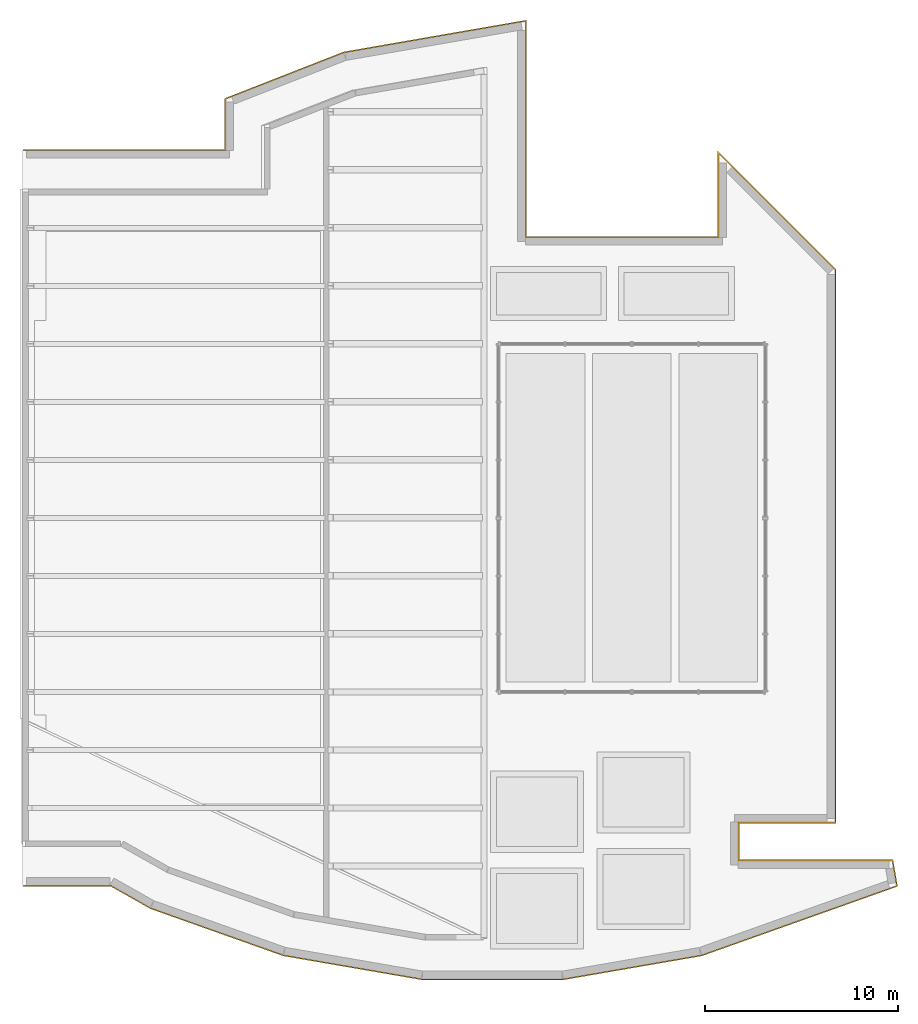
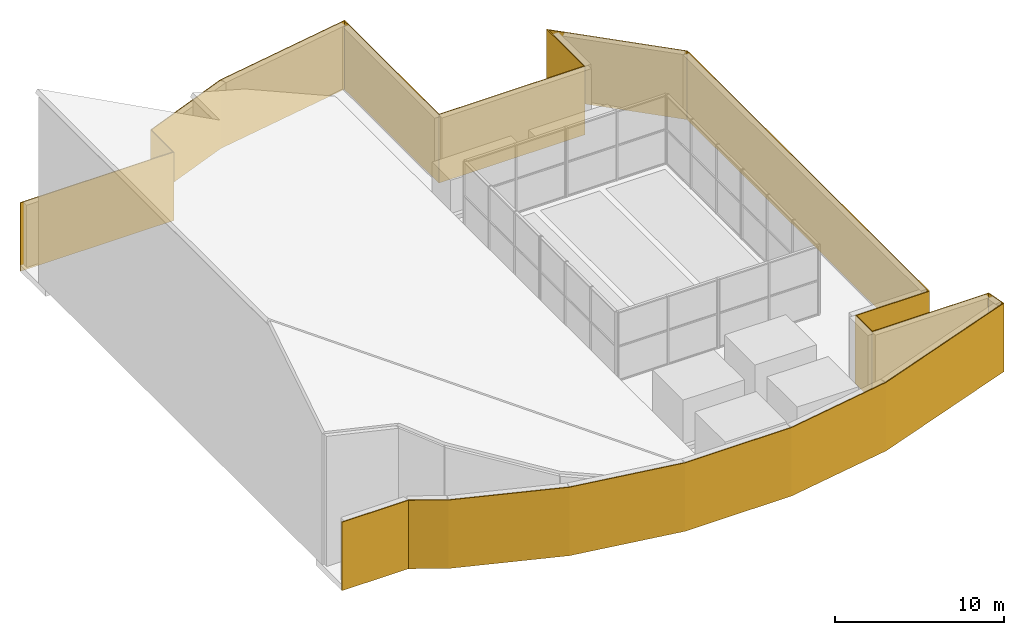
# One storey, part 5 of 6: 1 covering.
"""IFC4 building model written with IfcOpenShell, lengths in metres."""

import ifcopenshell
import ifcopenshell.guid

model = None  # the IFC model being written
_history = None  # IfcOwnerHistory: only IFC2X3 demands one
_inside = {}  # id of a spatial element -> (the spatial element, [elements in it])
_under = {}  # id of a project, library or spatial element -> (it, [spatial elements below it])
_declared = {}  # id of a project -> (the project, [libraries it declares])
_typed = {}  # id of a type object -> (the type object, [elements of that type])
_made_of = {}  # id of a material, layer set ... -> (it, [elements and type objects made of it])


def new_model(schema):
    """Start an empty IFC model of exactly this schema.

    Asked for "IFC4X3", IfcOpenShell would pick the latest addendum, in which some entities
    have other attributes; the version numbers below select the first issue.
    IFC2X3 requires an IfcOwnerHistory on every rooted entity: one is made here for all.
    """
    global model, _history
    if schema == "IFC4X3":
        model = ifcopenshell.file(schema_version=(4, 3, 0, 0))
    else:
        model = ifcopenshell.file(schema=schema)
    _inside.clear()
    _under.clear()
    _declared.clear()
    _typed.clear()
    _made_of.clear()
    _history = None
    if model.schema == "IFC2X3":
        org = make("IfcOrganization", Name="unknown")
        user = make(
            "IfcPersonAndOrganization",
            ThePerson=make("IfcPerson", FamilyName="unknown"),
            TheOrganization=org,
        )
        app = make(
            "IfcApplication",
            ApplicationDeveloper=org,
            Version="unknown",
            ApplicationFullName="unknown",
            ApplicationIdentifier="unknown",
        )
        _history = make(
            "IfcOwnerHistory",
            OwningUser=user,
            OwningApplication=app,
            ChangeAction="ADDED",
            CreationDate=0,
        )
    return model


def make(cls, **values):
    """One entity of the class cls with the attributes given. An attribute that is None is left unset."""
    return model.create_entity(
        cls, **{name: value for name, value in values.items() if value is not None}
    )


def rooted(cls, **values):
    """An entity with a GlobalId (a new one), such as an element, a storey or a relation."""
    return make(cls, GlobalId=ifcopenshell.guid.new(), OwnerHistory=_history, **values)


def si_unit(unit_type, name, prefix=None):
    """IfcSIUnit, for example si_unit("LENGTHUNIT", "METRE", prefix="MILLI")."""
    return make("IfcSIUnit", UnitType=unit_type, Prefix=prefix, Name=name)


def assignment(units):
    """IfcUnitAssignment: the units of a project."""
    return None if units is None else make("IfcUnitAssignment", Units=units)


def point(xyz):
    """IfcCartesianPoint."""
    return None if xyz is None else make("IfcCartesianPoint", Coordinates=xyz)


def direction(xyz):
    """IfcDirection."""
    return None if xyz is None else make("IfcDirection", DirectionRatios=xyz)


def frame(location, z_axis=None, x_axis=None):
    """IfcAxis2Placement3D, a coordinate frame: its origin and axes. An axis left out is left unset."""
    return make(
        "IfcAxis2Placement3D",
        Location=point(location),
        Axis=direction(z_axis),
        RefDirection=direction(x_axis),
    )


def origin():
    """The frame at (0, 0, 0) with its axes left unset."""
    return frame((0.0, 0.0, 0.0))


def place(relative_to, where):
    """IfcLocalPlacement: puts the frame where relative to a parent placement (None: the world)."""
    return make(
        "IfcLocalPlacement", PlacementRelTo=relative_to, RelativePlacement=where
    )


def context(
    kind, dimensions, precision=None, world=None, true_north=None, identifier=None
):
    """IfcGeometricRepresentationContext, for example the 3D "Model" context."""
    return make(
        "IfcGeometricRepresentationContext",
        ContextIdentifier=identifier,
        ContextType=kind,
        CoordinateSpaceDimension=dimensions,
        Precision=precision,
        WorldCoordinateSystem=world,
        TrueNorth=true_north,
    )


def subcontext(parent, identifier, kind, view, scale=None):
    """IfcGeometricRepresentationSubContext, for example "Body" below "Model"."""
    return make(
        "IfcGeometricRepresentationSubContext",
        ContextIdentifier=identifier,
        ContextType=kind,
        ParentContext=parent,
        TargetScale=scale,
        TargetView=view,
    )


def project(units=None, contexts=None):
    """IfcProject with its units and contexts."""
    return rooted(
        "IfcProject",
        Name="project",
        RepresentationContexts=contexts,
        UnitsInContext=assignment(units),
    )


def spatial(cls, under=None, at=None, **own):
    """A site, building, storey or space (cls), placed at a placement, below another one or the project."""
    s = rooted(cls, ObjectPlacement=at, **own)
    if under is not None:
        _under.setdefault(under.id(), (under, []))[1].append(s)
    return s


def polyline(points):
    """IfcPolyline through the points."""
    return make("IfcPolyline", Points=[point(p) for p in points])


def outline(outer, holes=None, kind="AREA"):
    """IfcArbitraryClosedProfileDef: a profile drawn as a closed curve; with holes, ...WithVoids."""
    if holes is None:
        return make("IfcArbitraryClosedProfileDef", ProfileType=kind, OuterCurve=outer)
    return make(
        "IfcArbitraryProfileDefWithVoids",
        ProfileType=kind,
        OuterCurve=outer,
        InnerCurves=holes,
    )


def extrude(swept, where, along, depth):
    """IfcExtrudedAreaSolid: the profile swept, set in the frame where, extruded along a direction by depth."""
    return make(
        "IfcExtrudedAreaSolid",
        SweptArea=swept,
        Position=where,
        ExtrudedDirection=direction(along),
        Depth=depth,
    )


def shape(context_of_items, identifier, shape_type, items):
    """IfcShapeRepresentation: the items that make up one representation, for example the "Body"."""
    return make(
        "IfcShapeRepresentation",
        ContextOfItems=context_of_items,
        RepresentationIdentifier=identifier,
        RepresentationType=shape_type,
        Items=items,
    )


def material(Name=None, Category=None):
    """IfcMaterial."""
    return make("IfcMaterial", Name=Name, Category=Category)


def layer(
    of_material, thickness, ventilated=None, Name=None, Category=None, Priority=None
):
    """IfcMaterialLayer: one layer of a wall or slab, of a material (None: an air gap)."""
    return make(
        "IfcMaterialLayer",
        Material=of_material,
        LayerThickness=thickness,
        IsVentilated=ventilated,
        Name=Name,
        Category=Category,
        Priority=Priority,
    )


def layer_set(layers, Name=None):
    """IfcMaterialLayerSet."""
    return make("IfcMaterialLayerSet", MaterialLayers=layers, LayerSetName=Name)


def made_of(thing, what):
    """Note that an element or type object is made of a material, layer set ...; save() writes the relation."""
    if what is not None:
        _made_of.setdefault(what.id(), (what, []))[1].append(thing)
    return thing


def type_object(cls, material=None, **own):
    """A type object (cls), such as IfcWallType, which elements share."""
    return made_of(rooted(cls, **own), material)


def element(
    cls,
    number,
    at=None,
    inside=None,
    cuts=None,
    type_object=None,
    material=None,
    context=None,
    identifier="Body",
    shape_type=None,
    held_by="IfcProductDefinitionShape",
    body=None,
    shapes=None,
    **own,
):
    """One element of the class cls, such as IfcWall. Its Tag is "e" and its number.

    at: its placement. inside: the storey or other place that contains it. cuts: it is an
    opening in that element (IfcRelVoidsElement). A single representation is given by context,
    identifier, shape_type and body (its items); several are given by shapes. held_by: the class
    of the entity that holds the representations. save() writes the other relations.
    """
    e = rooted(cls, Tag="e%d" % number, ObjectPlacement=at, **own)
    if body is not None:
        shapes = [shape(context, identifier, shape_type, body)]
    if shapes is not None:
        e.Representation = make(held_by, Representations=shapes)
    if inside is not None:
        _inside.setdefault(inside.id(), (inside, []))[1].append(e)
    if cuts is not None:
        rooted(
            "IfcRelVoidsElement", RelatingBuildingElement=cuts, RelatedOpeningElement=e
        )
    if type_object is not None:
        _typed.setdefault(type_object.id(), (type_object, []))[1].append(e)
    return made_of(e, material)


def aggregate(whole, parts):
    """IfcRelAggregates: a whole, such as a stair, and the parts it consists of."""
    return rooted("IfcRelAggregates", RelatingObject=whole, RelatedObjects=parts)


def save(model, path):
    """Write the relations noted so far, then the file.

    IfcRelAggregates (storeys below a building ...), IfcRelContainedInSpatialStructure (elements
    in a storey), IfcRelDefinesByType, IfcRelAssociatesMaterial and IfcRelDeclares: one each for
    every whole, place, type object, material and project.
    """
    for whole, parts in _under.values():
        aggregate(whole, parts)
    for where, things in _inside.values():
        rooted(
            "IfcRelContainedInSpatialStructure",
            RelatedElements=things,
            RelatingStructure=where,
        )
    for kind, things in _typed.values():
        rooted("IfcRelDefinesByType", RelatedObjects=things, RelatingType=kind)
    for what, things in _made_of.values():
        rooted("IfcRelAssociatesMaterial", RelatedObjects=things, RelatingMaterial=what)
    for by, libraries in _declared.values():
        rooted("IfcRelDeclares", RelatingContext=by, RelatedDefinitions=libraries)
    model.write(path)


model = new_model("IFC4")

# Units and contexts
model_context = context("Model", 3, precision=1e-05, world=origin(), true_north=direction((0.0, 1.0)))
body_context = subcontext(model_context, "Body", "Model", "MODEL_VIEW")
ifc_project = project(units=[si_unit("LENGTHUNIT", "METRE"), si_unit("AREAUNIT", "SQUARE_METRE"), si_unit("VOLUMEUNIT", "CUBIC_METRE"), si_unit("PLANEANGLEUNIT", "RADIAN"), si_unit("MASSUNIT", "GRAM", prefix="KILO")], contexts=[model_context])

# Site, building, storey
site_placement = place(None, origin())
site = spatial("IfcSite", under=ifc_project, at=site_placement, CompositionType="ELEMENT")
building_placement = place(site_placement, origin())
building = spatial("IfcBuilding", under=site, at=building_placement, Name="Cypress Arch Tower", CompositionType="ELEMENT")
storey_placement = place(building_placement, frame((0.0, 0.0, 359.0)))
storey = spatial("IfcBuildingStorey", under=building, at=storey_placement, Name="ROOF", CompositionType="ELEMENT", Elevation=359.0)

# Covering
ifc_material = material(Name="White powder-coated aluminium fascia", Category="aluminium")
ifc_layer = layer(ifc_material, 0.06005859375)
ifc_layer_set = layer_set([ifc_layer], Name="Crown fascia UF60")
covering_type = type_object("IfcCoveringType", Name="Crown fascia UF60", PredefinedType="CLADDING", material=ifc_layer_set)
covering_placement = place(storey_placement, frame((0.0, 0.0, -0.449951171875)))
element("IfcCovering", 1, at=covering_placement, inside=storey, type_object=covering_type, Name="Crown fascia", PredefinedType="CLADDING", context=body_context, shape_type="SweptSolid", body=[
    extrude(outline(polyline([(-13.4072265625, 24.10400390625), (-3.93994140625, 25.748779296875), (-3.93994140625, 14.56005859375), (5.93994140625, 14.56005859375), (5.93994140625, 18.973388671875), (12.06005859375, 12.853271484375), (12.06005859375, -15.800048828125), (7.06005859375, -15.800048828125), (7.06005859375, -17.679931640625), (15.013916015625, -17.679931640625), (15.251953125, -19.062255859375), (5.1240234375, -22.659912109375), (-2.053466796875, -23.89990234375), (-9.3466796875, -23.89990234375), (-16.5234375, -22.66015625), (-23.397705078125, -20.221435546875), (-25.4521484375, -19.06005859375), (-29.989990234375, -19.06005859375), (-29.989990234375, -19.0), (-25.436279296875, -19.0), (-23.372802734375, -20.166748046875), (-16.50830078125, -22.601806640625), (-9.341552734375, -23.840087890625), (-2.05859375, -23.840087890625), (5.108642578125, -22.601806640625), (15.184326171875, -19.022705078125), (14.96337890625, -17.739990234375), (7.0, -17.739990234375), (7.0, -15.739990234375), (12.0, -15.739990234375), (12.0, 12.828369140625), (6.0, 18.828369140625), (6.0, 14.5), (-4.0, 14.5), (-4.0, 25.677490234375), (-13.39111328125, 24.0458984375), (-19.5, 21.655029296875), (-19.5, 19.0), (-29.989990234375, 19.0), (-29.989990234375, 19.06005859375), (-19.56005859375, 19.06005859375), (-19.56005859375, 21.69580078125), (-13.4072265625, 24.10400390625)])), origin(), (0.0, 0.0, 1.0), 4.949951171875),
])

save(model, "model.ifc")
